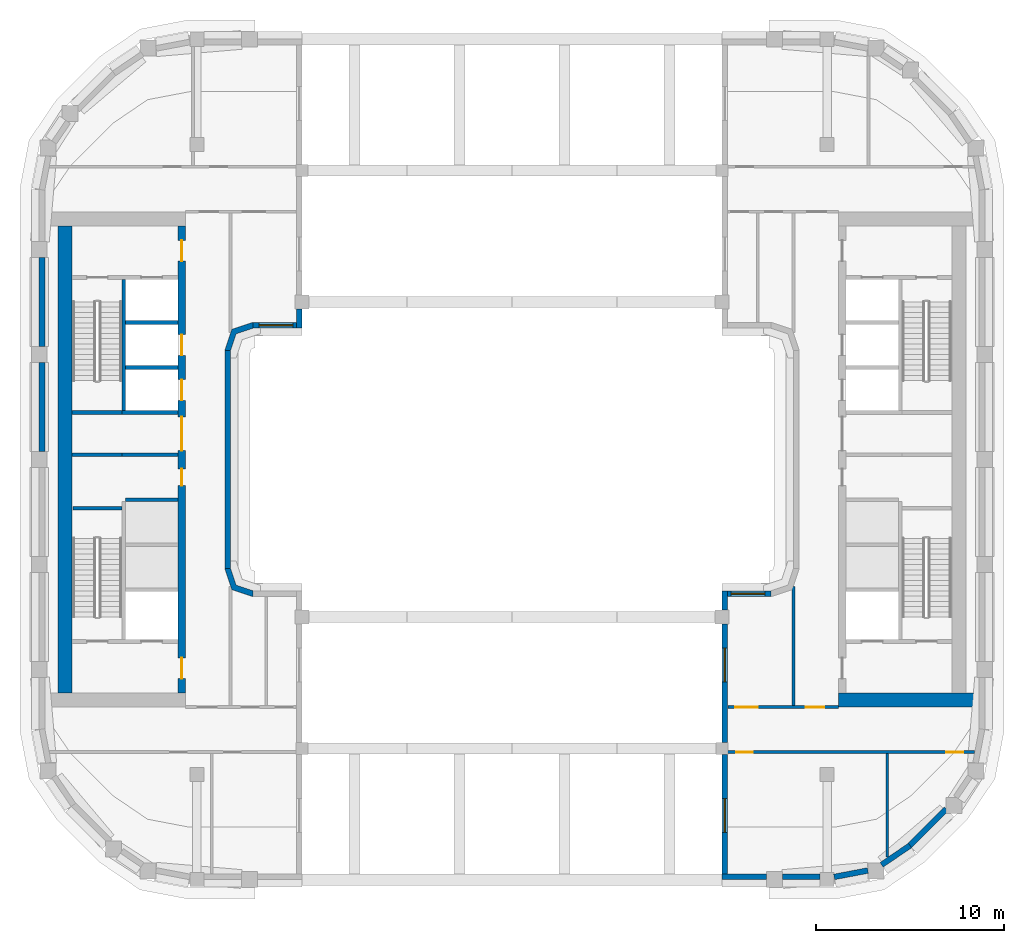
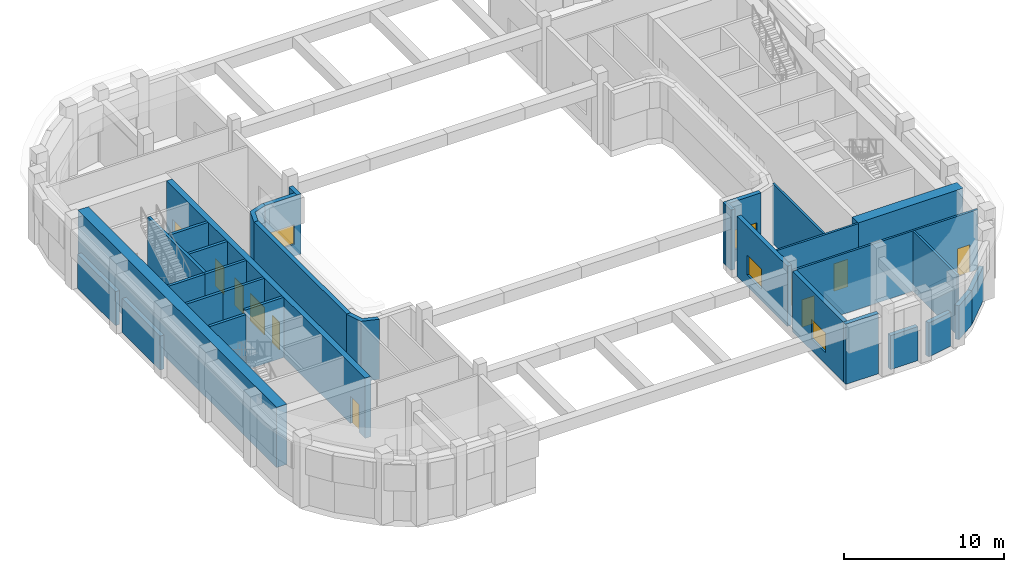
# One storey, part 3 of 13: 32 walls, 10 doors, 4 windows, 14 openings.
"""IFC4 building model written with IfcOpenShell, lengths in metres."""

from ifc_helpers import new_model, si_unit, direction, frame, frame_2d, origin, place, context, subcontext, project, spatial, polyline, rectangle, outline, extrude, material, layer, layer_set, type_object, element, fill, save


model = new_model("IFC4")

# Units and contexts
model_context = context("Model", 3, precision=1e-05, world=origin(), true_north=direction((0.0, 1.0)))
body_context = subcontext(model_context, "Body", "Model", "MODEL_VIEW")
ifc_project = project(units=[si_unit("LENGTHUNIT", "METRE"), si_unit("AREAUNIT", "SQUARE_METRE"), si_unit("VOLUMEUNIT", "CUBIC_METRE"), si_unit("PLANEANGLEUNIT", "RADIAN"), si_unit("MASSUNIT", "GRAM", prefix="KILO")], contexts=[model_context])

# Site, building, storey
site_placement = place(None, origin())
site = spatial("IfcSite", under=ifc_project, at=site_placement, CompositionType="ELEMENT")
building_placement = place(site_placement, origin())
building = spatial("IfcBuilding", under=site, at=building_placement, Name="Kiln Ring Residences", CompositionType="ELEMENT")
storey_placement = place(building_placement, frame((0.0, 0.0, 236.300048828125)))
storey = spatial("IfcBuildingStorey", under=building, at=storey_placement, Name="L61", CompositionType="ELEMENT", Elevation=236.300048828125)

# Walls
ifc_material_1 = material(Name="Gypsum board on steel studs", Category="steel")
ifc_layer_1 = layer(ifc_material_1, 0.199951171875)
ifc_layer_set_1 = layer_set([ifc_layer_1], Name="CORE-PARTITION-200")
wall_type_1 = type_object("IfcWallType", Name="CORE-PARTITION-200", PredefinedType="PARTITIONING", material=ifc_layer_set_1)
wall_1_placement = place(storey_placement, frame((-20.800048828125, 0.25, 0.0), z_axis=(0.0, 0.0, 1.0), x_axis=(-1.0, 0.0, 0.0)))
element("IfcWall", 1, at=wall_1_placement, inside=storey, type_object=wall_type_1, Name="Core partition west L61 1", PredefinedType="PARTITIONING", context=body_context, shape_type="SweptSolid", body=[
    extrude(rectangle(XDim=2.64990234375, YDim=0.199951171875, at=frame_2d((1.324951171875, 0.0))), origin(), (0.0, 0.0, 1.0), 4.599853515625),
])
ifc_material_2 = material(Name="Gypsum shaft wall system")
ifc_layer_2 = layer(ifc_material_2, 0.199951171875)
ifc_layer_set_2 = layer_set([ifc_layer_2], Name="CORE-SHAFT-WALL-200")
wall_type_2 = type_object("IfcWallType", Name="CORE-SHAFT-WALL-200", PredefinedType="PARTITIONING", material=ifc_layer_set_2)
wall_2_placement = place(storey_placement, frame((-17.800048828125, -2.14990234375, 0.0), z_axis=(0.0, 0.0, 1.0), x_axis=(-1.0, 0.0, 0.0)))
element("IfcWall", 2, at=wall_2_placement, inside=storey, type_object=wall_type_2, Name="Core partition west L61 4", PredefinedType="PARTITIONING", context=body_context, shape_type="SweptSolid", body=[
    extrude(rectangle(XDim=2.800048828125, YDim=0.199951171875, at=frame_2d((1.39990234375, 0.0))), origin(), (0.0, 0.0, 1.0), 4.599853515625),
])
for number, where, z_axis, x_axis, name in (
    (3, (-17.800048828125, 0.25, 0.0), (0.0, 0.0, 1.0), (-1.0, 0.0, 0.0), "Core partition west L61 5"),
    (4, (-17.800048828125, 2.5, 0.0), (0.0, 0.0, 1.0), (-1.0, 0.0, 0.0), "Core partition west L61 6"),
):
    element("IfcWall", number, at=place(storey_placement, frame(where, z_axis=z_axis, x_axis=x_axis)), inside=storey, type_object=wall_type_2, Name=name, PredefinedType="PARTITIONING", context=body_context, shape_type="SweptSolid", body=[
        extrude(rectangle(XDim=3.0, YDim=0.199951171875, at=frame_2d((1.5, 0.0))), origin(), (0.0, 0.0, 1.0), 4.599853515625),
    ])
for number, where, z_axis, x_axis, name in (
    (5, (-17.800048828125, 4.89990234375, 0.0), (0.0, 0.0, 1.0), (-1.0, 0.0, 0.0), "Core partition west L61 7"),
    (6, (-17.800048828125, 7.300048828125, 0.0), (0.0, 0.0, 1.0), (-1.0, 0.0, 0.0), "Core partition west L61 8"),
):
    element("IfcWall", number, at=place(storey_placement, frame(where, z_axis=z_axis, x_axis=x_axis)), inside=storey, type_object=wall_type_2, Name=name, PredefinedType="PARTITIONING", context=body_context, shape_type="SweptSolid", body=[
        extrude(rectangle(XDim=2.800048828125, YDim=0.199951171875, at=frame_2d((1.39990234375, 0.0))), origin(), (0.0, 0.0, 1.0), 4.599853515625),
    ])
ifc_material_3 = material(Name="Concrete C40/50", Category="concrete")
ifc_layer_3 = layer(ifc_material_3, 0.199951171875)
ifc_layer_set_3 = layer_set([ifc_layer_3], Name="CORE-WALL-RC200")
wall_type_3 = type_object("IfcWallType", Name="CORE-WALL-RC200", PredefinedType="SHEAR", material=ifc_layer_set_3)
wall_3_placement = place(storey_placement, frame((-20.699951171875, 2.60009765625, 0.0), z_axis=(0.0, 0.0, 1.0), x_axis=(0.0, 1.0, 0.0)))
element("IfcWall", 7, at=wall_3_placement, inside=storey, type_object=wall_type_3, Name="Core wall west L61 1", PredefinedType="SHEAR", context=body_context, shape_type="SweptSolid", body=[
    extrude(rectangle(XDim=7.0, YDim=0.199951171875, at=frame_2d((3.5, 0.0))), origin(), (0.0, 0.0, 1.0), 4.599853515625),
])
wall_4_placement = place(storey_placement, frame((-20.800048828125, 2.5, 0.0), z_axis=(0.0, 0.0, 1.0), x_axis=(-1.0, 0.0, 0.0)))
element("IfcWall", 8, at=wall_4_placement, inside=storey, type_object=wall_type_3, Name="Core wall west L61 3", PredefinedType="SHEAR", context=body_context, shape_type="SweptSolid", body=[
    extrude(rectangle(XDim=2.64990234375, YDim=0.199951171875, at=frame_2d((1.324951171875, 0.0))), origin(), (0.0, 0.0, 1.0), 4.599853515625),
])
wall_5_placement = place(storey_placement, frame((-20.800048828125, -2.60009765625, 0.0), z_axis=(0.0, 0.0, 1.0), x_axis=(-1.0, 0.0, 0.0)))
element("IfcWall", 9, at=wall_5_placement, inside=storey, type_object=wall_type_3, Name="Core wall west L61 10", PredefinedType="SHEAR", context=body_context, shape_type="SweptSolid", body=[
    extrude(rectangle(XDim=2.599853515625, YDim=0.199951171875, at=frame_2d((1.2998046875, 0.0))), origin(), (0.0, 0.0, 1.0), 4.599853515625),
])

# Wall, openings, doors
ifc_material_4 = material(Name="Concrete C60/75", Category="concrete")
ifc_layer_4 = layer(ifc_material_4, 0.39990234375)
ifc_layer_set_4 = layer_set([ifc_layer_4], Name="CORE-WALL-RC400")
wall_type_4 = type_object("IfcWallType", Name="CORE-WALL-RC400", PredefinedType="SHEAR", material=ifc_layer_set_4)
wall_6_placement = place(storey_placement, frame((-17.60009765625, -12.449951171875, 0.0), z_axis=(0.0, 0.0, 1.0), x_axis=(0.0, 1.0, 0.0)))
wall_6 = element("IfcWall", 10, at=wall_6_placement, inside=storey, type_object=wall_type_4, Name="Core wall west L61 6", PredefinedType="SHEAR", context=body_context, shape_type="SweptSolid", body=[
    extrude(rectangle(XDim=24.89990234375, YDim=0.39990234375, at=frame_2d((12.449951171875, 0.0))), origin(), (0.0, 0.0, 1.0), 4.599853515625),
])
opening_1_placement = place(wall_6_placement, frame((11.050048828125, 0.0, 0.0)))
opening_1 = element("IfcOpeningElement", 11, at=opening_1_placement, cuts=wall_6, Name="Opening L61-CW02", PredefinedType="OPENING", context=body_context, shape_type="SweptSolid", body=[
    extrude(rectangle(XDim=0.89990234375, YDim=2.10009765625, at=frame_2d((0.449951171875, 1.050048828125))), frame((0.0, 0.2099609375, 0.0), z_axis=(0.0, -1.0, 0.0), x_axis=(1.0, 0.0, 0.0)), (0.0, 0.0, 1.0), 0.419921875),
])
opening_2_placement = place(wall_6_placement, frame((15.60009765625, 0.0, 0.0)))
opening_2 = element("IfcOpeningElement", 12, at=opening_2_placement, cuts=wall_6, Name="Opening L61-CW03", PredefinedType="OPENING", context=body_context, shape_type="SweptSolid", body=[
    extrude(rectangle(XDim=1.10009765625, YDim=2.10009765625, at=frame_2d((0.550048828125, 1.050048828125))), frame((0.0, 0.2099609375, 0.0), z_axis=(0.0, -1.0, 0.0), x_axis=(1.0, 0.0, 0.0)), (0.0, 0.0, 1.0), 0.419921875),
])
opening_3_placement = place(wall_6_placement, frame((18.0, 0.0, 0.0)))
opening_3 = element("IfcOpeningElement", 13, at=opening_3_placement, cuts=wall_6, Name="Opening L61-CW04", PredefinedType="OPENING", context=body_context, shape_type="SweptSolid", body=[
    extrude(rectangle(XDim=1.10009765625, YDim=2.10009765625, at=frame_2d((0.550048828125, 1.050048828125))), frame((0.0, 0.2099609375, 0.0), z_axis=(0.0, -1.0, 0.0), x_axis=(1.0, 0.0, 0.0)), (0.0, 0.0, 1.0), 0.419921875),
])
opening_4_placement = place(wall_6_placement, frame((23.02490234375, 0.0, 0.0)))
opening_4 = element("IfcOpeningElement", 14, at=opening_4_placement, cuts=wall_6, Name="Opening L61-CW06", PredefinedType="OPENING", context=body_context, shape_type="SweptSolid", body=[
    extrude(rectangle(XDim=1.10009765625, YDim=2.10009765625, at=frame_2d((0.550048828125, 1.050048828125))), frame((0.0, 0.2099609375, 0.0), z_axis=(0.0, -1.0, 0.0), x_axis=(1.0, 0.0, 0.0)), (0.0, 0.0, 1.0), 0.419921875),
])
opening_5_placement = place(wall_6_placement, frame((0.77490234375, 0.0, 0.0)))
opening_5 = element("IfcOpeningElement", 15, at=opening_5_placement, cuts=wall_6, Name="Opening L61-CW07", PredefinedType="OPENING", context=body_context, shape_type="SweptSolid", body=[
    extrude(rectangle(XDim=1.10009765625, YDim=2.10009765625, at=frame_2d((0.550048828125, 1.050048828125))), frame((0.0, 0.2099609375, 0.0), z_axis=(0.0, -1.0, 0.0), x_axis=(1.0, 0.0, 0.0)), (0.0, 0.0, 1.0), 0.419921875),
])
opening_6_placement = place(wall_6_placement, frame((12.925048828125, 0.0, 0.0)))
opening_6 = element("IfcOpeningElement", 16, at=opening_6_placement, cuts=wall_6, Name="Opening L61-CW10", PredefinedType="OPENING", context=body_context, shape_type="SweptSolid", body=[
    extrude(rectangle(XDim=1.800048828125, YDim=2.10009765625, at=frame_2d((0.89990234375, 1.050048828125))), frame((0.0, 0.2099609375, 0.0), z_axis=(0.0, -1.0, 0.0), x_axis=(1.0, 0.0, 0.0)), (0.0, 0.0, 1.0), 0.419921875),
])
ifc_material_5 = material(Name="Steel door leaf", Category="steel")
door_type_1 = type_object("IfcDoorType", Name="CORE-DOOR-LD", OperationType="DOUBLE_DOOR_SLIDING", PredefinedType="DOOR", material=ifc_material_5)
door_1_placement = place(opening_2_placement, origin())
door_1 = element("IfcDoor", 17, at=door_1_placement, inside=storey, type_object=door_type_1, Name="LD W-M1 L61-CW03", OperationType="DOUBLE_DOOR_SLIDING", OverallHeight=2.10009765625, OverallWidth=1.10009765625, PredefinedType="DOOR", context=body_context, shape_type="SweptSolid", body=[
    extrude(rectangle(XDim=1.10009765625, YDim=2.10009765625, at=frame_2d((0.550048828125, 1.050048828125))), frame((0.0, 0.02490234375, 0.0), z_axis=(0.0, -1.0, 0.0), x_axis=(1.0, 0.0, 0.0)), (0.0, 0.0, 1.0), 0.050048828125),
])
fill(opening_2, door_1)
door_2_placement = place(opening_3_placement, origin())
door_2 = element("IfcDoor", 18, at=door_2_placement, inside=storey, type_object=door_type_1, Name="LD W-M2 L61-CW04", OperationType="DOUBLE_DOOR_SLIDING", OverallHeight=2.10009765625, OverallWidth=1.10009765625, PredefinedType="DOOR", context=body_context, shape_type="SweptSolid", body=[
    extrude(rectangle(XDim=1.10009765625, YDim=2.10009765625, at=frame_2d((0.550048828125, 1.050048828125))), frame((0.0, 0.02490234375, 0.0), z_axis=(0.0, -1.0, 0.0), x_axis=(1.0, 0.0, 0.0)), (0.0, 0.0, 1.0), 0.050048828125),
])
fill(opening_3, door_2)
ifc_material_6 = material(Name="Steel door leaf", Category="steel")
door_type_2 = type_object("IfcDoorType", Name="CORE-DOOR-LOBBY", OperationType="SINGLE_SWING_LEFT", PredefinedType="DOOR", material=ifc_material_6)
door_3_placement = place(opening_4_placement, origin())
door_3 = element("IfcDoor", 19, at=door_3_placement, inside=storey, type_object=door_type_2, Name="FFL L61-CW06", OperationType="SINGLE_SWING_LEFT", OverallHeight=2.10009765625, OverallWidth=1.10009765625, PredefinedType="DOOR", context=body_context, shape_type="SweptSolid", body=[
    extrude(rectangle(XDim=1.10009765625, YDim=2.10009765625, at=frame_2d((0.550048828125, 1.050048828125))), frame((0.0, 0.02490234375, 0.0), z_axis=(0.0, -1.0, 0.0), x_axis=(1.0, 0.0, 0.0)), (0.0, 0.0, 1.0), 0.050048828125),
])
fill(opening_4, door_3)
door_4_placement = place(opening_5_placement, origin())
door_4 = element("IfcDoor", 20, at=door_4_placement, inside=storey, type_object=door_type_2, Name="SVL L61-CW07", OperationType="SINGLE_SWING_RIGHT", OverallHeight=2.10009765625, OverallWidth=1.10009765625, PredefinedType="DOOR", context=body_context, shape_type="SweptSolid", body=[
    extrude(rectangle(XDim=1.10009765625, YDim=2.10009765625, at=frame_2d((0.550048828125, 1.050048828125))), frame((0.0, 0.02490234375, 0.0), z_axis=(0.0, -1.0, 0.0), x_axis=(1.0, 0.0, 0.0)), (0.0, 0.0, 1.0), 0.050048828125),
])
fill(opening_5, door_4)
ifc_material_7 = material(Name="Steel door leaf", Category="steel")
door_type_3 = type_object("IfcDoorType", Name="CORE-DOOR-PASS", OperationType="DOUBLE_DOOR_SINGLE_SWING", PredefinedType="DOOR", material=ifc_material_7)
door_5_placement = place(opening_6_placement, origin())
door_5 = element("IfcDoor", 21, at=door_5_placement, inside=storey, type_object=door_type_3, Name="Core passage L61-CW10", OperationType="DOUBLE_DOOR_SINGLE_SWING", OverallHeight=2.10009765625, OverallWidth=1.800048828125, PredefinedType="DOOR", context=body_context, shape_type="SweptSolid", body=[
    extrude(rectangle(XDim=1.800048828125, YDim=2.10009765625, at=frame_2d((0.89990234375, 1.050048828125))), frame((0.0, 0.02490234375, 0.0), z_axis=(0.0, -1.0, 0.0), x_axis=(1.0, 0.0, 0.0)), (0.0, 0.0, 1.0), 0.050048828125),
])
fill(opening_6, door_5)
ifc_material_8 = material(Name="Steel door leaf", Category="steel")
door_type_4 = type_object("IfcDoorType", Name="CORE-DOOR-ROOM", OperationType="SINGLE_SWING_LEFT", PredefinedType="DOOR", material=ifc_material_8)
door_6_placement = place(opening_1_placement, origin())
door_6 = element("IfcDoor", 22, at=door_6_placement, inside=storey, type_object=door_type_4, Name="Store L61-CW02", OperationType="SINGLE_SWING_RIGHT", OverallHeight=2.10009765625, OverallWidth=0.89990234375, PredefinedType="DOOR", context=body_context, shape_type="SweptSolid", body=[
    extrude(rectangle(XDim=0.89990234375, YDim=2.10009765625, at=frame_2d((0.449951171875, 1.050048828125))), frame((0.0, 0.02490234375, 0.0), z_axis=(0.0, -1.0, 0.0), x_axis=(1.0, 0.0, 0.0)), (0.0, 0.0, 1.0), 0.050048828125),
])
fill(opening_1, door_6)

# Walls
ifc_material_9 = material(Name="Concrete C60/75", Category="concrete")
ifc_layer_5 = layer(ifc_material_9, 0.75)
ifc_layer_set_5 = layer_set([ifc_layer_5], Name="CORE-WALL-RC750")
wall_type_5 = type_object("IfcWallType", Name="CORE-WALL-RC750", PredefinedType="SHEAR", material=ifc_layer_set_5)
wall_7_placement = place(storey_placement, frame((-23.824951171875, -12.449951171875, 0.0), z_axis=(0.0, 0.0, 1.0), x_axis=(0.0, 1.0, 0.0)))
element("IfcWall", 23, at=wall_7_placement, inside=storey, type_object=wall_type_5, Name="Core wall west L61 7", PredefinedType="SHEAR", context=body_context, shape_type="SweptSolid", body=[
    extrude(rectangle(XDim=24.89990234375, YDim=0.75, at=frame_2d((12.449951171875, 0.0))), origin(), (0.0, 0.0, 1.0), 4.599853515625),
])
wall_8_placement = place(storey_placement, frame((17.39990234375, -12.824951171875, 0.0), z_axis=(0.0, 0.0, 1.0), x_axis=(1.0, 0.0, 0.0)))
element("IfcWall", 24, at=wall_8_placement, inside=storey, type_object=wall_type_5, Name="Core wall east L61 5", PredefinedType="SHEAR", context=body_context, shape_type="SweptSolid", body=[
    extrude(rectangle(XDim=7.60009765625, YDim=0.75, at=frame_2d((3.800048828125, 0.0))), origin(), (0.0, 0.0, 1.0), 4.599853515625),
])
ifc_material_10 = material(Name="Brick masonry, dark clay brick", Category="masonry")
ifc_layer_6 = layer(ifc_material_10, 0.300048828125)
ifc_layer_set_6 = layer_set([ifc_layer_6], Name="EW-300 BRICK WALL")
wall_type_6 = type_object("IfcWallType", Name="EW-300 BRICK WALL", PredefinedType="SOLIDWALL", material=ifc_layer_set_6)
wall_9_placement = place(storey_placement, frame((-15.14990234375, -5.800048828125, 0.0), z_axis=(0.0, 0.0, 1.0), x_axis=(0.0, 1.0, 0.0)))
element("IfcWall", 25, at=wall_9_placement, inside=storey, type_object=wall_type_6, Name="Facade wall L61 12", PredefinedType="SOLIDWALL", context=body_context, shape_type="SweptSolid", body=[
    extrude(rectangle(XDim=11.60009765625, YDim=0.300048828125, at=frame_2d((5.800048828125, 0.0))), origin(), (0.0, 0.0, 1.0), 4.599853515625),
])

# Wall, opening, window
wall_10_placement = place(storey_placement, frame((-13.800048828125, 7.14990234375, 0.0), z_axis=(0.0, 0.0, 1.0), x_axis=(1.0, 0.0, 0.0)))
wall_10 = element("IfcWall", 26, at=wall_10_placement, inside=storey, type_object=wall_type_6, Name="Facade wall L61 13", PredefinedType="SOLIDWALL", context=body_context, shape_type="SweptSolid", body=[
    extrude(rectangle(XDim=2.60009765625, YDim=0.300048828125, at=frame_2d((1.300048828125, 0.0))), origin(), (0.0, 0.0, 1.0), 4.599853515625),
])
opening_7_placement = place(wall_10_placement, frame((0.3173828125, 0.0, 0.89990234375)))
opening_7 = element("IfcOpeningElement", 27, at=opening_7_placement, cuts=wall_10, Name="Opening LV1", PredefinedType="OPENING", context=body_context, shape_type="SweptSolid", body=[
    extrude(rectangle(XDim=1.800048828125, YDim=1.5, at=frame_2d((0.89990234375, 0.75))), frame((0.0, 0.159912109375, 0.0), z_axis=(0.0, -1.0, 0.0), x_axis=(1.0, 0.0, 0.0)), (0.0, 0.0, 1.0), 0.320068359375),
])
ifc_material_11 = material(Name="Aluminium louvre", Category="aluminium")
window_type = type_object("IfcWindowType", Name="LOUVRED VENT 1800 x 1500", PartitioningType="SINGLE_PANEL", PredefinedType="WINDOW", material=ifc_material_11)
window_1_placement = place(opening_7_placement, origin())
window_1 = element("IfcWindow", 28, at=window_1_placement, inside=storey, type_object=window_type, Name="Louvred vent L61 3", OverallHeight=1.5, OverallWidth=1.800048828125, PartitioningType="SINGLE_PANEL", PredefinedType="WINDOW", context=body_context, shape_type="SweptSolid", body=[
    extrude(rectangle(XDim=1.800048828125, YDim=1.5, at=frame_2d((0.89990234375, 0.75))), frame((0.0, 0.030029296875, 0.0), z_axis=(0.0, -1.0, 0.0), x_axis=(1.0, 0.0, 0.0)), (0.0, 0.0, 1.0), 0.06005859375),
])
fill(opening_7, window_1)

# Walls
wall_11_placement = place(storey_placement, frame((-11.35009765625, 7.0, 0.0), z_axis=(0.0, 0.0, 1.0), x_axis=(0.0, 1.0, 0.0)))
element("IfcWall", 29, at=wall_11_placement, inside=storey, type_object=wall_type_6, Name="Facade wall L61 14", PredefinedType="SOLIDWALL", context=body_context, shape_type="SweptSolid", body=[
    extrude(rectangle(XDim=1.02490234375, YDim=0.300048828125, at=frame_2d((0.512451171875, 0.0))), origin(), (0.0, 0.0, 1.0), 4.599853515625),
])
for number, where, z_axis, x_axis, name in (
    (30, (-25.050048828125, 10.77490234375, 0.0), (0.0, 0.0, 1.0), (0.0, -1.0, 0.0), "Facade wall L61 25"),
    (31, (-25.050048828125, 5.175048828125, 0.0), (0.0, 0.0, 1.0), (0.0, -1.0, 0.0), "Facade wall L61 26"),
):
    element("IfcWall", number, at=place(storey_placement, frame(where, z_axis=z_axis, x_axis=x_axis)), inside=storey, type_object=wall_type_6, Name=name, PredefinedType="SOLIDWALL", context=body_context, shape_type="SweptSolid", body=[
        extrude(rectangle(XDim=4.75, YDim=0.300048828125, at=frame_2d((2.375, 0.0))), origin(), (0.0, 0.0, 1.0), 2.599853515625),
    ])

# Wall, opening, window
wall_12_placement = place(storey_placement, frame((13.800048828125, -7.14990234375, 0.0), z_axis=(0.0, 0.0, 1.0), x_axis=(-1.0, 0.0, 0.0)))
wall_12 = element("IfcWall", 32, at=wall_12_placement, inside=storey, type_object=wall_type_6, Name="Facade wall L61 30", PredefinedType="SOLIDWALL", context=body_context, shape_type="SweptSolid", body=[
    extrude(rectangle(XDim=2.60009765625, YDim=0.300048828125, at=frame_2d((1.300048828125, 0.0))), origin(), (0.0, 0.0, 1.0), 4.599853515625),
])
opening_8_placement = place(wall_12_placement, frame((0.3173828125, 0.0, 0.89990234375)))
opening_8 = element("IfcOpeningElement", 33, at=opening_8_placement, cuts=wall_12, Name="Opening LV1", PredefinedType="OPENING", context=body_context, shape_type="SweptSolid", body=[
    extrude(rectangle(XDim=1.800048828125, YDim=1.5, at=frame_2d((0.89990234375, 0.75))), frame((0.0, 0.159912109375, 0.0), z_axis=(0.0, -1.0, 0.0), x_axis=(1.0, 0.0, 0.0)), (0.0, 0.0, 1.0), 0.320068359375),
])
window_2_placement = place(opening_8_placement, origin())
window_2 = element("IfcWindow", 34, at=window_2_placement, inside=storey, type_object=window_type, Name="Louvred vent L61 6", OverallHeight=1.5, OverallWidth=1.800048828125, PartitioningType="SINGLE_PANEL", PredefinedType="WINDOW", context=body_context, shape_type="SweptSolid", body=[
    extrude(rectangle(XDim=1.800048828125, YDim=1.5, at=frame_2d((0.89990234375, 0.75))), frame((0.0, 0.030029296875, 0.0), z_axis=(0.0, -1.0, 0.0), x_axis=(1.0, 0.0, 0.0)), (0.0, 0.0, 1.0), 0.06005859375),
])
fill(opening_8, window_2)

# Wall
wall_13_placement = place(storey_placement, frame((11.35009765625, -7.0, 0.0), z_axis=(0.0, 0.0, 1.0), x_axis=(0.0, -1.0, 0.0)))
element("IfcWall", 35, at=wall_13_placement, inside=storey, type_object=wall_type_6, Name="Facade wall L61 31", PredefinedType="SOLIDWALL", context=body_context, shape_type="SweptSolid", body=[
    extrude(rectangle(XDim=1.02490234375, YDim=0.300048828125, at=frame_2d((0.512451171875, 0.0))), origin(), (0.0, 0.0, 1.0), 4.599853515625),
])

# Wall, opening, window
wall_14_placement = place(storey_placement, frame((11.35009765625, -8.77490234375, 0.0), z_axis=(0.0, 0.0, 1.0), x_axis=(0.0, -1.0, 0.0)))
wall_14 = element("IfcWall", 36, at=wall_14_placement, inside=storey, type_object=wall_type_6, Name="Facade wall L61 32", PredefinedType="SOLIDWALL", context=body_context, shape_type="SweptSolid", body=[
    extrude(rectangle(XDim=6.300048828125, YDim=0.300048828125, at=frame_2d((3.14990234375, 0.0))), origin(), (0.0, 0.0, 1.0), 4.599853515625),
])
opening_9_placement = place(wall_14_placement, frame((1.27490234375, 0.0, 0.89990234375)))
opening_9 = element("IfcOpeningElement", 37, at=opening_9_placement, cuts=wall_14, Name="Opening LV1", PredefinedType="OPENING", context=body_context, shape_type="SweptSolid", body=[
    extrude(rectangle(XDim=1.800048828125, YDim=1.5, at=frame_2d((0.89990234375, 0.75))), frame((0.0, 0.159912109375, 0.0), z_axis=(0.0, -1.0, 0.0), x_axis=(1.0, 0.0, 0.0)), (0.0, 0.0, 1.0), 0.320068359375),
])
window_3_placement = place(opening_9_placement, origin())
window_3 = element("IfcWindow", 38, at=window_3_placement, inside=storey, type_object=window_type, Name="Louvred vent L61 7", OverallHeight=1.5, OverallWidth=1.800048828125, PartitioningType="SINGLE_PANEL", PredefinedType="WINDOW", context=body_context, shape_type="SweptSolid", body=[
    extrude(rectangle(XDim=1.800048828125, YDim=1.5, at=frame_2d((0.89990234375, 0.75))), frame((0.0, 0.030029296875, 0.0), z_axis=(0.0, -1.0, 0.0), x_axis=(1.0, 0.0, 0.0)), (0.0, 0.0, 1.0), 0.06005859375),
])
fill(opening_9, window_3)

wall_15_placement = place(storey_placement, frame((11.35009765625, -15.72509765625, 0.0), z_axis=(0.0, 0.0, 1.0), x_axis=(0.0, -1.0, 0.0)))
wall_15 = element("IfcWall", 39, at=wall_15_placement, inside=storey, type_object=wall_type_6, Name="Facade wall L61 33", PredefinedType="SOLIDWALL", context=body_context, shape_type="SweptSolid", body=[
    extrude(rectangle(XDim=6.6748046875, YDim=0.300048828125, at=frame_2d((3.33740234375, 0.0))), origin(), (0.0, 0.0, 1.0), 4.599853515625),
])
opening_10_placement = place(wall_15_placement, frame((2.35498046875, 0.0, 0.89990234375)))
opening_10 = element("IfcOpeningElement", 40, at=opening_10_placement, cuts=wall_15, Name="Opening LV1", PredefinedType="OPENING", context=body_context, shape_type="SweptSolid", body=[
    extrude(rectangle(XDim=1.800048828125, YDim=1.5, at=frame_2d((0.89990234375, 0.75))), frame((0.0, 0.159912109375, 0.0), z_axis=(0.0, -1.0, 0.0), x_axis=(1.0, 0.0, 0.0)), (0.0, 0.0, 1.0), 0.320068359375),
])
window_4_placement = place(opening_10_placement, origin())
window_4 = element("IfcWindow", 41, at=window_4_placement, inside=storey, type_object=window_type, Name="Louvred vent L61 8", OverallHeight=1.5, OverallWidth=1.800048828125, PartitioningType="SINGLE_PANEL", PredefinedType="WINDOW", context=body_context, shape_type="SweptSolid", body=[
    extrude(rectangle(XDim=1.800048828125, YDim=1.5, at=frame_2d((0.89990234375, 0.75))), frame((0.0, 0.030029296875, 0.0), z_axis=(0.0, -1.0, 0.0), x_axis=(1.0, 0.0, 0.0)), (0.0, 0.0, 1.0), 0.06005859375),
])
fill(opening_10, window_4)

# Walls
wall_16_placement = place(storey_placement, frame((11.199951171875, -22.25, 0.0), z_axis=(0.0, 0.0, 1.0), x_axis=(1.0, 0.0, 0.0)))
element("IfcWall", 42, at=wall_16_placement, inside=storey, type_object=wall_type_6, Name="Facade wall L61 34", PredefinedType="SOLIDWALL", context=body_context, shape_type="SweptSolid", body=[
    extrude(rectangle(XDim=2.375, YDim=0.300048828125, at=frame_2d((1.1875, 0.0))), origin(), (0.0, 0.0, 1.0), 4.599853515625),
])
wall_17_placement = place(storey_placement, frame((14.425048828125, -22.25, 0.0), z_axis=(0.0, 0.0, 1.0), x_axis=(1.0, 0.0, 0.0)))
element("IfcWall", 43, at=wall_17_placement, inside=storey, type_object=wall_type_6, Name="Facade wall L61 35", PredefinedType="SOLIDWALL", context=body_context, shape_type="SweptSolid", body=[
    extrude(rectangle(XDim=2.0, YDim=0.300048828125, at=frame_2d((1.0, 0.0))), origin(), (0.0, 0.0, 1.0), 2.599853515625),
])
wall_18_placement = place(storey_placement, frame((17.171875, -22.252685546875, 0.0), z_axis=(0.0, 0.0, 1.0), x_axis=(0.982300037503, 0.187314271538, 0.0)))
element("IfcWall", 44, at=wall_18_placement, inside=storey, type_object=wall_type_6, Name="Facade wall L61 36", PredefinedType="SOLIDWALL", context=body_context, shape_type="SweptSolid", body=[
    extrude(rectangle(XDim=1.831298828125, YDim=0.300048828125, at=frame_2d((0.91552734375, 0.0))), origin(), (0.0, 0.0, 1.0), 2.599853515625),
])
wall_19_placement = place(storey_placement, frame((19.6982421875, -21.608154296875, 0.0), z_axis=(0.0, 0.0, 1.0), x_axis=(0.82705295608, 0.562124014644, 0.0)))
element("IfcWall", 45, at=wall_19_placement, inside=storey, type_object=wall_type_6, Name="Facade wall L61 37", PredefinedType="SOLIDWALL", context=body_context, shape_type="SweptSolid", body=[
    extrude(rectangle(XDim=1.8310546875, YDim=0.300048828125, at=frame_2d((0.91552734375, 0.0))), origin(), (0.0, 0.0, 1.0), 2.599853515625),
])
wall_20_placement = place(storey_placement, frame((21.19091796875, -20.596923828125, 0.0), z_axis=(0.0, 0.0, 1.0), x_axis=(0.707150767798, 0.707062791838, 0.0)))
element("IfcWall", 46, at=wall_20_placement, inside=storey, type_object=wall_type_6, Name="Facade wall L61 38", PredefinedType="SOLIDWALL", context=body_context, shape_type="SweptSolid", body=[
    extrude(rectangle(XDim=2.775146484375, YDim=0.300048828125, at=frame_2d((1.3876953125, 0.0))), origin(), (0.0, 0.0, 1.0), 2.599853515625),
])
placement = place(storey_placement, origin())
element("IfcWall", 47, at=placement, inside=storey, type_object=wall_type_6, Name="Corner wall L61 1", PredefinedType="SOLIDWALL", context=body_context, shape_type="SweptSolid", body=[
    extrude(outline(polyline([(-15.0, 5.800048828125), (-14.699951171875, 6.699951171875), (-13.800048828125, 7.0), (-13.800048828125, 7.300048828125), (-13.8486328125, 7.300048828125), (-14.937255859375, 6.937255859375), (-15.300048828125, 5.8486328125), (-15.300048828125, 5.800048828125), (-15.0, 5.800048828125)])), origin(), (0.0, 0.0, 1.0), 4.599853515625),
])
element("IfcWall", 48, at=placement, inside=storey, type_object=wall_type_6, Name="Corner wall L61 2", PredefinedType="SOLIDWALL", context=body_context, shape_type="SweptSolid", body=[
    extrude(outline(polyline([(-13.800048828125, -7.0), (-14.699951171875, -6.699951171875), (-15.0, -5.800048828125), (-15.300048828125, -5.800048828125), (-15.300048828125, -5.8486328125), (-14.937255859375, -6.937255859375), (-13.8486328125, -7.300048828125), (-13.800048828125, -7.300048828125), (-13.800048828125, -7.0)])), origin(), (0.0, 0.0, 1.0), 4.599853515625),
])

# Wall, openings, doors
ifc_material_12 = material(Name="Brick masonry partition", Category="masonry")
ifc_layer_7 = layer(ifc_material_12, 0.14990234375)
ifc_layer_set_7 = layer_set([ifc_layer_7], Name="PARTITION-150-ei60")
wall_type_7 = type_object("IfcWallType", Name="PARTITION-150-ei60", PredefinedType="PARTITIONING", material=ifc_layer_set_7)
wall_23_placement = place(storey_placement, frame((11.2900390625, -15.60009765625, 0.0), z_axis=(0.0, 0.0, 1.0), x_axis=(1.0, 0.0, 0.0)))
wall_23 = element("IfcWall", 49, at=wall_23_placement, inside=storey, type_object=wall_type_7, Name="Partition 001", PredefinedType="PARTITIONING", context=body_context, shape_type="SweptSolid", body=[
    extrude(rectangle(XDim=13.355712890625, YDim=0.14990234375, at=frame_2d((6.677734375, 0.0))), origin(), (0.0, 0.0, 1.0), 4.599853515625),
])
opening_11_placement = place(wall_23_placement, frame((0.64990234375, 0.0, 0.0)))
opening_11 = element("IfcOpeningElement", 50, at=opening_11_placement, cuts=wall_23, Name="Opening L61-D017", PredefinedType="OPENING", context=body_context, shape_type="SweptSolid", body=[
    extrude(rectangle(XDim=0.89990234375, YDim=2.10009765625, at=frame_2d((0.449951171875, 1.050048828125))), frame((0.0, 0.0849609375, 0.0), z_axis=(0.0, -1.0, 0.0), x_axis=(1.0, 0.0, 0.0)), (0.0, 0.0, 1.0), 0.169921875),
])
opening_12_placement = place(wall_23_placement, frame((11.860107421875, 0.0, 0.0)))
opening_12 = element("IfcOpeningElement", 51, at=opening_12_placement, cuts=wall_23, Name="Opening L61-D018", PredefinedType="OPENING", context=body_context, shape_type="SweptSolid", body=[
    extrude(rectangle(XDim=0.89990234375, YDim=2.10009765625, at=frame_2d((0.449951171875, 1.050048828125))), frame((0.0, 0.0849609375, 0.0), z_axis=(0.0, -1.0, 0.0), x_axis=(1.0, 0.0, 0.0)), (0.0, 0.0, 1.0), 0.169921875),
])
ifc_material_13 = material(Name="Steel faced fire door leaf", Category="steel")
door_type_5 = type_object("IfcDoorType", Name="FLAT-DOOR-900-FR", OperationType="SINGLE_SWING_LEFT", PredefinedType="DOOR", material=ifc_material_13)
door_7_placement = place(opening_11_placement, origin())
door_7 = element("IfcDoor", 52, at=door_7_placement, inside=storey, type_object=door_type_5, Name="Door L61-D017", OperationType="SINGLE_SWING_LEFT", OverallHeight=2.10009765625, OverallWidth=0.89990234375, PredefinedType="DOOR", context=body_context, shape_type="SweptSolid", body=[
    extrude(rectangle(XDim=0.89990234375, YDim=2.10009765625, at=frame_2d((0.449951171875, 1.050048828125))), frame((0.0, 0.02490234375, 0.0), z_axis=(0.0, -1.0, 0.0), x_axis=(1.0, 0.0, 0.0)), (0.0, 0.0, 1.0), 0.050048828125),
])
fill(opening_11, door_7)
door_8_placement = place(opening_12_placement, origin())
door_8 = element("IfcDoor", 53, at=door_8_placement, inside=storey, type_object=door_type_5, Name="Door L61-D018", OperationType="SINGLE_SWING_RIGHT", OverallHeight=2.10009765625, OverallWidth=0.89990234375, PredefinedType="DOOR", context=body_context, shape_type="SweptSolid", body=[
    extrude(rectangle(XDim=0.89990234375, YDim=2.10009765625, at=frame_2d((0.449951171875, 1.050048828125))), frame((0.0, 0.02490234375, 0.0), z_axis=(0.0, -1.0, 0.0), x_axis=(1.0, 0.0, 0.0)), (0.0, 0.0, 1.0), 0.050048828125),
])
fill(opening_12, door_8)

wall_24_placement = place(storey_placement, frame((11.52001953125, -13.199951171875, 0.0), z_axis=(0.0, 0.0, 1.0), x_axis=(1.0, 0.0, 0.0)))
wall_24 = element("IfcWall", 54, at=wall_24_placement, inside=storey, type_object=wall_type_7, Name="Partition 003", PredefinedType="PARTITIONING", context=body_context, shape_type="SweptSolid", body=[
    extrude(rectangle(XDim=5.8798828125, YDim=0.14990234375, at=frame_2d((2.93994140625, 0.0))), origin(), (0.0, 0.0, 1.0), 4.599853515625),
])
opening_13_placement = place(wall_24_placement, frame((4.1298828125, 0.0, 0.0)))
opening_13 = element("IfcOpeningElement", 55, at=opening_13_placement, cuts=wall_24, Name="Opening L61-D015", PredefinedType="OPENING", context=body_context, shape_type="SweptSolid", body=[
    extrude(rectangle(XDim=1.0, YDim=2.10009765625, at=frame_2d((0.5, 1.050048828125))), frame((0.0, 0.0849609375, 0.0), z_axis=(0.0, -1.0, 0.0), x_axis=(1.0, 0.0, 0.0)), (0.0, 0.0, 1.0), 0.169921875),
])
opening_14_placement = place(wall_24_placement, frame((0.3798828125, 0.0, 0.0)))
opening_14 = element("IfcOpeningElement", 56, at=opening_14_placement, cuts=wall_24, Name="Opening L61-D016", PredefinedType="OPENING", context=body_context, shape_type="SweptSolid", body=[
    extrude(rectangle(XDim=1.199951171875, YDim=2.10009765625, at=frame_2d((0.60009765625, 1.050048828125))), frame((0.0, 0.0849609375, 0.0), z_axis=(0.0, -1.0, 0.0), x_axis=(1.0, 0.0, 0.0)), (0.0, 0.0, 1.0), 0.169921875),
])
ifc_material_14 = material(Name="Steel faced fire door leaf", Category="steel")
door_type_6 = type_object("IfcDoorType", Name="FLAT-DOOR-1000-FR", OperationType="SINGLE_SWING_LEFT", PredefinedType="DOOR", material=ifc_material_14)
door_9_placement = place(opening_13_placement, origin())
door_9 = element("IfcDoor", 57, at=door_9_placement, inside=storey, type_object=door_type_6, Name="Door L61-D015", OperationType="SINGLE_SWING_RIGHT", OverallHeight=2.10009765625, OverallWidth=1.0, PredefinedType="DOOR", context=body_context, shape_type="SweptSolid", body=[
    extrude(rectangle(XDim=1.0, YDim=2.10009765625, at=frame_2d((0.5, 1.050048828125))), frame((0.0, 0.02490234375, 0.0), z_axis=(0.0, -1.0, 0.0), x_axis=(1.0, 0.0, 0.0)), (0.0, 0.0, 1.0), 0.050048828125),
])
fill(opening_13, door_9)
ifc_material_15 = material(Name="Steel faced fire door leaf", Category="steel")
door_type_7 = type_object("IfcDoorType", Name="FLAT-DOOR-1200-FR", OperationType="SINGLE_SWING_LEFT", PredefinedType="DOOR", material=ifc_material_15)
door_10_placement = place(opening_14_placement, origin())
door_10 = element("IfcDoor", 58, at=door_10_placement, inside=storey, type_object=door_type_7, Name="Door L61-D016", OperationType="SINGLE_SWING_RIGHT", OverallHeight=2.10009765625, OverallWidth=1.199951171875, PredefinedType="DOOR", context=body_context, shape_type="SweptSolid", body=[
    extrude(rectangle(XDim=1.199951171875, YDim=2.10009765625, at=frame_2d((0.60009765625, 1.050048828125))), frame((0.0, 0.02490234375, 0.0), z_axis=(0.0, -1.0, 0.0), x_axis=(1.0, 0.0, 0.0)), (0.0, 0.0, 1.0), 0.050048828125),
])
fill(opening_14, door_10)

# Walls
wall_25_placement = place(storey_placement, frame((15.0, -13.125, 0.0), z_axis=(0.0, 0.0, 1.0), x_axis=(0.0, 1.0, 0.0)))
element("IfcWall", 59, at=wall_25_placement, inside=storey, type_object=wall_type_7, Name="Partition 014", PredefinedType="PARTITIONING", context=body_context, shape_type="SweptSolid", body=[
    extrude(rectangle(XDim=6.356201171875, YDim=0.14990234375, at=frame_2d((3.17822265625, 0.0))), origin(), (0.0, 0.0, 1.0), 4.599853515625),
])
wall_26_placement = place(storey_placement, frame((20.0, -21.20166015625, 0.0), z_axis=(0.0, 0.0, 1.0), x_axis=(0.0, 1.0, 0.0)))
element("IfcWall", 60, at=wall_26_placement, inside=storey, type_object=wall_type_7, Name="Partition 017", PredefinedType="PARTITIONING", context=body_context, shape_type="SweptSolid", body=[
    extrude(rectangle(XDim=5.526611328125, YDim=0.14990234375, at=frame_2d((2.76318359375, 0.0))), origin(), (0.0, 0.0, 1.0), 4.599853515625),
])

save(model, "model.ifc")
